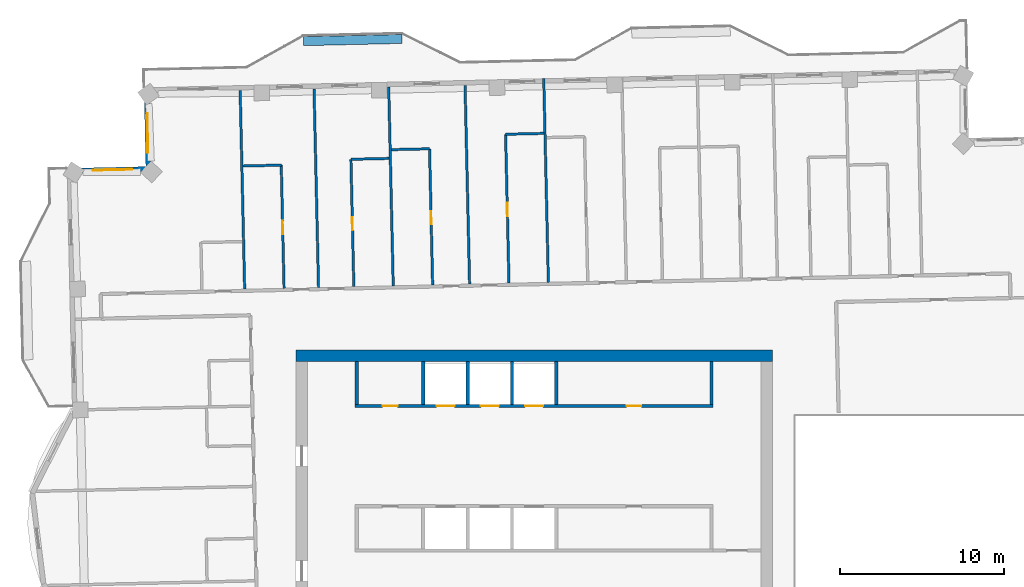
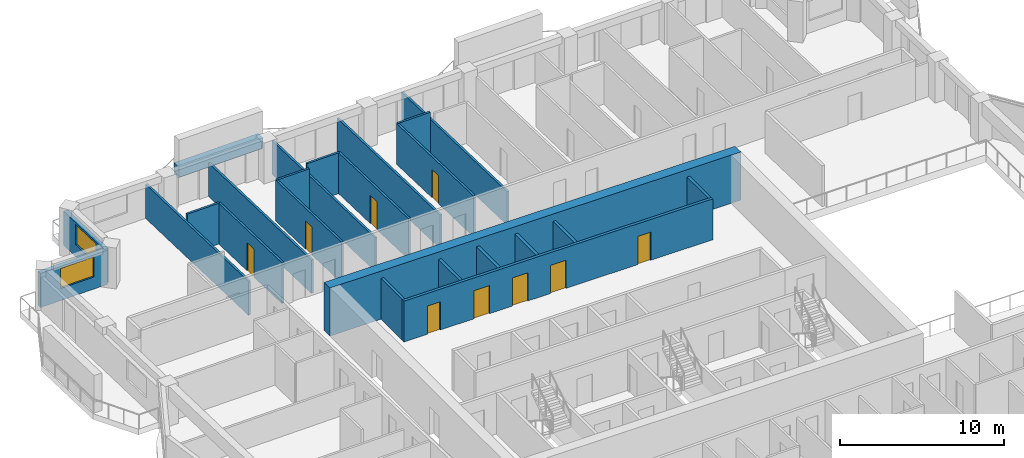
# One storey, part 13 of 19: 24 walls, 9 doors, 2 windows, 11 openings.
"""IFC4 building model written with IfcOpenShell, lengths in metres."""

from ifc_helpers import new_model, si_unit, direction, frame, frame_2d, origin, place, context, subcontext, project, spatial, rectangle, extrude, material, layer, layer_set, type_object, element, fill, save


model = new_model("IFC4")

# Units and contexts
model_context = context("Model", 3, precision=1e-05, world=origin(), true_north=direction((0.0, 1.0)))
body_context = subcontext(model_context, "Body", "Model", "MODEL_VIEW")
ifc_project = project(units=[si_unit("LENGTHUNIT", "METRE"), si_unit("AREAUNIT", "SQUARE_METRE"), si_unit("VOLUMEUNIT", "CUBIC_METRE"), si_unit("PLANEANGLEUNIT", "RADIAN"), si_unit("MASSUNIT", "GRAM", prefix="KILO")], contexts=[model_context])

# Site, building, storey
site_placement = place(None, origin())
site = spatial("IfcSite", under=ifc_project, at=site_placement, CompositionType="ELEMENT")
building_placement = place(site_placement, origin())
building = spatial("IfcBuilding", under=site, at=building_placement, Name="Mangrove Gate Tower", CompositionType="ELEMENT")
storey_placement = place(building_placement, frame((0.0, 0.0, 283.5)))
storey = spatial("IfcBuildingStorey", under=building, at=storey_placement, Name="L72", CompositionType="ELEMENT", Elevation=283.5)

# Walls
ifc_material_1 = material(Name="Concrete C32/40", Category="concrete")
ifc_layer_1 = layer(ifc_material_1, 0.199951171875)
ifc_layer_set_1 = layer_set([ifc_layer_1], Name="Core room wall 200 C32/40")
wall_type_1 = type_object("IfcWallType", Name="Core room wall 200 C32/40", PredefinedType="STANDARD", material=ifc_layer_set_1)
for number, where, z_axis, x_axis, name in (
    (1, (-10.800048828125, 8.199951171875, 0.0), (0.0, 0.0, 1.0), (0.0, 1.0, 0.0), "WALL-L72-CORE-25"),
    (2, (10.800048828125, 8.199951171875, 0.0), (0.0, 0.0, 1.0), (0.0, 1.0, 0.0), "WALL-L72-CORE-30"),
):
    element("IfcWall", number, at=place(storey_placement, frame(where, z_axis=z_axis, x_axis=x_axis)), inside=storey, type_object=wall_type_1, Name=name, PredefinedType="STANDARD", context=body_context, shape_type="SweptSolid", body=[
        extrude(rectangle(XDim=2.60009765625, YDim=0.199951171875, at=frame_2d((1.300048828125, 0.0))), origin(), (0.0, 0.0, 1.0), 3.050048828125),
    ])

# Wall, openings, doors
ifc_material_2 = material(Name="Concrete C50/60", Category="concrete")
ifc_layer_2 = layer(ifc_material_2, 0.199951171875)
ifc_layer_set_2 = layer_set([ifc_layer_2], Name="Core shaft wall 200 C50/60")
wall_type_2 = type_object("IfcWallType", Name="Core shaft wall 200 C50/60", PredefinedType="SHEAR", material=ifc_layer_set_2)
wall_1_placement = place(storey_placement, frame((-10.89990234375, 8.10009765625, 0.0), z_axis=(0.0, 0.0, 1.0), x_axis=(1.0, 0.0, 0.0)))
wall_1 = element("IfcWall", 3, at=wall_1_placement, inside=storey, type_object=wall_type_2, Name="WALL-L72-CORE-8", PredefinedType="SHEAR", context=body_context, shape_type="SweptSolid", body=[
    extrude(rectangle(XDim=21.7998046875, YDim=0.199951171875, at=frame_2d((10.89990234375, 0.0))), origin(), (0.0, 0.0, 1.0), 3.050048828125),
])
opening_1_placement = place(wall_1_placement, frame((4.949951171875, 0.0, 0.0)))
opening_1 = element("IfcOpeningElement", 4, at=opening_1_placement, cuts=wall_1, Name="Opening LD", PredefinedType="OPENING", context=body_context, shape_type="SweptSolid", body=[
    extrude(rectangle(XDim=1.10009765625, YDim=2.10009765625, at=frame_2d((0.550048828125, 1.050048828125))), frame((0.0, 0.10986328125, 0.0), z_axis=(0.0, -1.0, 0.0), x_axis=(1.0, 0.0, 0.0)), (0.0, 0.0, 1.0), 0.219970703125),
])
opening_2_placement = place(wall_1_placement, frame((7.64990234375, 0.0, 0.0)))
opening_2 = element("IfcOpeningElement", 5, at=opening_2_placement, cuts=wall_1, Name="Opening LD", PredefinedType="OPENING", context=body_context, shape_type="SweptSolid", body=[
    extrude(rectangle(XDim=1.10009765625, YDim=2.10009765625, at=frame_2d((0.550048828125, 1.050048828125))), frame((0.0, 0.10986328125, 0.0), z_axis=(0.0, -1.0, 0.0), x_axis=(1.0, 0.0, 0.0)), (0.0, 0.0, 1.0), 0.219970703125),
])
opening_3_placement = place(wall_1_placement, frame((10.35009765625, 0.0, 0.0)))
opening_3 = element("IfcOpeningElement", 6, at=opening_3_placement, cuts=wall_1, Name="Opening LD", PredefinedType="OPENING", context=body_context, shape_type="SweptSolid", body=[
    extrude(rectangle(XDim=1.10009765625, YDim=2.10009765625, at=frame_2d((0.550048828125, 1.050048828125))), frame((0.0, 0.10986328125, 0.0), z_axis=(0.0, -1.0, 0.0), x_axis=(1.0, 0.0, 0.0)), (0.0, 0.0, 1.0), 0.219970703125),
])
opening_4_placement = place(wall_1_placement, frame((1.675048828125, 0.0, 0.0)))
opening_4 = element("IfcOpeningElement", 7, at=opening_4_placement, cuts=wall_1, Name="Opening KD", PredefinedType="OPENING", context=body_context, shape_type="SweptSolid", body=[
    extrude(rectangle(XDim=0.89990234375, YDim=2.10009765625, at=frame_2d((0.449951171875, 1.050048828125))), frame((0.0, 0.10986328125, 0.0), z_axis=(0.0, -1.0, 0.0), x_axis=(1.0, 0.0, 0.0)), (0.0, 0.0, 1.0), 0.219970703125),
])
opening_5_placement = place(wall_1_placement, frame((16.52490234375, 0.0, 0.0)))
opening_5 = element("IfcOpeningElement", 8, at=opening_5_placement, cuts=wall_1, Name="Opening RD", PredefinedType="OPENING", context=body_context, shape_type="SweptSolid", body=[
    extrude(rectangle(XDim=0.89990234375, YDim=2.10009765625, at=frame_2d((0.449951171875, 1.050048828125))), frame((0.0, 0.10986328125, 0.0), z_axis=(0.0, -1.0, 0.0), x_axis=(1.0, 0.0, 0.0)), (0.0, 0.0, 1.0), 0.219970703125),
])
ifc_material_3 = material(Name="Fire-rated steel door set", Category="steel")
door_type_1 = type_object("IfcDoorType", Name="Core room door FD30S 900x2100", OperationType="SINGLE_SWING_RIGHT", PredefinedType="DOOR", material=ifc_material_3)
door_1_placement = place(opening_4_placement, origin())
door_1 = element("IfcDoor", 9, at=door_1_placement, inside=storey, type_object=door_type_1, Name="Core room door Refuse store", OperationType="SINGLE_SWING_RIGHT", OverallHeight=2.10009765625, OverallWidth=0.89990234375, PredefinedType="DOOR", context=body_context, shape_type="SweptSolid", body=[
    extrude(rectangle(XDim=0.89990234375, YDim=2.10009765625, at=frame_2d((0.449951171875, 1.050048828125))), frame((0.0, 0.02490234375, 0.0), z_axis=(0.0, -1.0, 0.0), x_axis=(1.0, 0.0, 0.0)), (0.0, 0.0, 1.0), 0.050048828125),
])
fill(opening_4, door_1)
ifc_material_4 = material(Name="Stainless steel 316", Category="steel")
door_type_2 = type_object("IfcDoorType", Name="Lift landing door 1100x2100", OperationType="SLIDING_TO_LEFT", PredefinedType="DOOR", material=ifc_material_4)
door_2_placement = place(opening_1_placement, origin())
door_2 = element("IfcDoor", 10, at=door_2_placement, inside=storey, type_object=door_type_2, Name="Landing door LD H04", OperationType="SLIDING_TO_LEFT", OverallHeight=2.10009765625, OverallWidth=1.10009765625, PredefinedType="DOOR", context=body_context, shape_type="SweptSolid", body=[
    extrude(rectangle(XDim=1.10009765625, YDim=2.10009765625, at=frame_2d((0.550048828125, 1.050048828125))), frame((0.0, 0.02490234375, 0.0), z_axis=(0.0, -1.0, 0.0), x_axis=(1.0, 0.0, 0.0)), (0.0, 0.0, 1.0), 0.050048828125),
])
fill(opening_1, door_2)
door_3_placement = place(opening_2_placement, origin())
door_3 = element("IfcDoor", 11, at=door_3_placement, inside=storey, type_object=door_type_2, Name="Landing door LD H05", OperationType="SLIDING_TO_LEFT", OverallHeight=2.10009765625, OverallWidth=1.10009765625, PredefinedType="DOOR", context=body_context, shape_type="SweptSolid", body=[
    extrude(rectangle(XDim=1.10009765625, YDim=2.10009765625, at=frame_2d((0.550048828125, 1.050048828125))), frame((0.0, 0.02490234375, 0.0), z_axis=(0.0, -1.0, 0.0), x_axis=(1.0, 0.0, 0.0)), (0.0, 0.0, 1.0), 0.050048828125),
])
fill(opening_2, door_3)
door_4_placement = place(opening_3_placement, origin())
door_4 = element("IfcDoor", 12, at=door_4_placement, inside=storey, type_object=door_type_2, Name="Landing door LD H06", OperationType="SLIDING_TO_LEFT", OverallHeight=2.10009765625, OverallWidth=1.10009765625, PredefinedType="DOOR", context=body_context, shape_type="SweptSolid", body=[
    extrude(rectangle(XDim=1.10009765625, YDim=2.10009765625, at=frame_2d((0.550048828125, 1.050048828125))), frame((0.0, 0.02490234375, 0.0), z_axis=(0.0, -1.0, 0.0), x_axis=(1.0, 0.0, 0.0)), (0.0, 0.0, 1.0), 0.050048828125),
])
fill(opening_3, door_4)
ifc_material_5 = material(Name="Fire-rated steel door set", Category="steel")
door_type_3 = type_object("IfcDoorType", Name="Riser door FD30S 900x2100", OperationType="SINGLE_SWING_LEFT", PredefinedType="DOOR", material=ifc_material_5)
door_5_placement = place(opening_5_placement, origin())
door_5 = element("IfcDoor", 13, at=door_5_placement, inside=storey, type_object=door_type_3, Name="Riser door Electrical room", OperationType="SINGLE_SWING_LEFT", OverallHeight=2.10009765625, OverallWidth=0.89990234375, PredefinedType="DOOR", context=body_context, shape_type="SweptSolid", body=[
    extrude(rectangle(XDim=0.89990234375, YDim=2.10009765625, at=frame_2d((0.449951171875, 1.050048828125))), frame((0.0, 0.02490234375, 0.0), z_axis=(0.0, -1.0, 0.0), x_axis=(1.0, 0.0, 0.0)), (0.0, 0.0, 1.0), 0.050048828125),
])
fill(opening_5, door_5)

# Walls
for number, where, z_axis, x_axis, name in (
    (14, (-6.75, 8.199951171875, 0.0), (0.0, 0.0, 1.0), (0.0, 1.0, 0.0), "WALL-L72-CORE-26"),
    (15, (-4.050048828125, 8.199951171875, 0.0), (0.0, 0.0, 1.0), (0.0, 1.0, 0.0), "WALL-L72-CORE-27"),
    (16, (-1.35009765625, 8.199951171875, 0.0), (0.0, 0.0, 1.0), (0.0, 1.0, 0.0), "WALL-L72-CORE-28"),
    (17, (1.35009765625, 8.199951171875, 0.0), (0.0, 0.0, 1.0), (0.0, 1.0, 0.0), "WALL-L72-CORE-29"),
):
    element("IfcWall", number, at=place(storey_placement, frame(where, z_axis=z_axis, x_axis=x_axis)), inside=storey, type_object=wall_type_2, Name=name, PredefinedType="SHEAR", context=body_context, shape_type="SweptSolid", body=[
        extrude(rectangle(XDim=2.60009765625, YDim=0.199951171875, at=frame_2d((1.300048828125, 0.0))), origin(), (0.0, 0.0, 1.0), 3.050048828125),
    ])
ifc_material_6 = material(Name="Concrete C50/60", Category="concrete")
ifc_layer_3 = layer(ifc_material_6, 0.699951171875)
ifc_layer_set_3 = layer_set([ifc_layer_3], Name="Core wall 700 C50/60")
wall_type_3 = type_object("IfcWallType", Name="Core wall 700 C50/60", PredefinedType="SHEAR", material=ifc_layer_set_3)
wall_2_placement = place(storey_placement, frame((-14.5, 11.14990234375, 0.0), z_axis=(0.0, 0.0, 1.0), x_axis=(1.0, 0.0, 0.0)))
element("IfcWall", 18, at=wall_2_placement, inside=storey, type_object=wall_type_3, Name="WALL-L72-CORE-2", PredefinedType="SHEAR", context=body_context, shape_type="SweptSolid", body=[
    extrude(rectangle(XDim=29.0, YDim=0.699951171875, at=frame_2d((14.5, 0.0))), origin(), (0.0, 0.0, 1.0), 3.60009765625),
])

# Wall, opening, window
ifc_material_7 = material(Name="Limestone", Category="masonry")
ifc_layer_4 = layer(ifc_material_7, 0.0400390625, Name="Limestone cladding")
ifc_material_8 = material(Name="Ventilated air gap")
ifc_layer_5 = layer(ifc_material_8, 0.0400390625, Name="Ventilated cavity")
ifc_material_9 = material(Name="Mineral wool insulation")
ifc_layer_6 = layer(ifc_material_9, 0.06005859375, Name="Insulation")
ifc_material_10 = material(Name="Breather membrane")
ifc_layer_7 = layer(ifc_material_10, 0.001953125, Name="Breather membrane")
ifc_material_11 = material(Name="Concrete C20/25 blockwork", Category="masonry")
ifc_layer_8 = layer(ifc_material_11, 0.14990234375, Name="Blockwork backing wall")
ifc_material_12 = material(Name="Gypsum plaster")
ifc_layer_9 = layer(ifc_material_12, 0.008056640625, Name="Internal plaster")
ifc_layer_set_4 = layer_set([ifc_layer_4, ifc_layer_5, ifc_layer_6, ifc_layer_7, ifc_layer_8, ifc_layer_9], Name="External wall 300 limestone cladding")
wall_type_4 = type_object("IfcWallType", Name="External wall 300 limestone cladding", PredefinedType="SOLIDWALL", material=ifc_layer_set_4)
wall_3_placement = place(storey_placement, frame((-23.60693359375, 27.3349609375, 0.0), z_axis=(0.0, 0.0, 1.0), x_axis=(0.022683280499, -0.999742701292, 0.0)))
wall_3 = element("IfcWall", 19, at=wall_3_placement, inside=storey, type_object=wall_type_4, Name="WALL-L72-W6", PredefinedType="SOLIDWALL", context=body_context, shape_type="SweptSolid", body=[
    extrude(rectangle(XDim=4.80029296875, YDim=0.300048828125, at=frame_2d((2.400146484375, 0.0))), origin(), (0.0, 0.0, 1.0), 2.550048828125),
])
opening_6_placement = place(wall_3_placement, frame((1.408935546875, 0.0, 0.89990234375)))
opening_6 = element("IfcOpeningElement", 20, at=opening_6_placement, cuts=wall_3, Name="Opening W2", PredefinedType="OPENING", context=body_context, shape_type="SweptSolid", body=[
    extrude(rectangle(XDim=2.39990234375, YDim=1.5, at=frame_2d((1.199951171875, 0.75))), frame((0.0, 0.159912109375, 0.0), z_axis=(0.0, -1.0, 0.0), x_axis=(1.0, 0.0, 0.0)), (0.0, 0.0, 1.0), 0.320068359375),
])
ifc_material_13 = material(Name="Aluminium frame with double-glazed low-e glass", Category="aluminium")
window_type = type_object("IfcWindowType", Name="Corner room window 2400x1500", PartitioningType="DOUBLE_PANEL_VERTICAL", PredefinedType="WINDOW", material=ifc_material_13)
window_1_placement = place(opening_6_placement, origin())
window_1 = element("IfcWindow", 21, at=window_1_placement, inside=storey, type_object=window_type, Name="WIN-L72-W6-1", OverallHeight=1.5, OverallWidth=2.39990234375, PartitioningType="DOUBLE_PANEL_VERTICAL", PredefinedType="WINDOW", context=body_context, shape_type="SweptSolid", body=[
    extrude(rectangle(XDim=2.39990234375, YDim=1.5, at=frame_2d((1.199951171875, 0.75))), frame((0.0, 0.030029296875, 0.0), z_axis=(0.0, -1.0, 0.0), x_axis=(1.0, 0.0, 0.0)), (0.0, 0.0, 1.0), 0.06005859375),
])
fill(opening_6, window_1)

wall_4_placement = place(storey_placement, frame((-23.498046875, 22.535888671875, 0.0), z_axis=(0.0, 0.0, 1.0), x_axis=(-0.999742701292, -0.022683280499, 0.0)))
wall_4 = element("IfcWall", 22, at=wall_4_placement, inside=storey, type_object=wall_type_4, Name="WALL-L72-N7", PredefinedType="SOLIDWALL", context=body_context, shape_type="SweptSolid", body=[
    extrude(rectangle(XDim=4.80029296875, YDim=0.300048828125, at=frame_2d((2.400146484375, 0.0))), origin(), (0.0, 0.0, 1.0), 2.550048828125),
])
opening_7_placement = place(wall_4_placement, frame((0.989990234375, 0.0, 0.89990234375)))
opening_7 = element("IfcOpeningElement", 23, at=opening_7_placement, cuts=wall_4, Name="Opening W2", PredefinedType="OPENING", context=body_context, shape_type="SweptSolid", body=[
    extrude(rectangle(XDim=2.39990234375, YDim=1.5, at=frame_2d((1.199951171875, 0.75))), frame((0.0, 0.159912109375, 0.0), z_axis=(0.0, -1.0, 0.0), x_axis=(1.0, 0.0, 0.0)), (0.0, 0.0, 1.0), 0.320068359375),
])
window_2_placement = place(opening_7_placement, origin())
window_2 = element("IfcWindow", 24, at=window_2_placement, inside=storey, type_object=window_type, Name="WIN-L72-N7-1", OverallHeight=1.5, OverallWidth=2.39990234375, PartitioningType="DOUBLE_PANEL_VERTICAL", PredefinedType="WINDOW", context=body_context, shape_type="SweptSolid", body=[
    extrude(rectangle(XDim=2.39990234375, YDim=1.5, at=frame_2d((1.199951171875, 0.75))), frame((0.0, 0.030029296875, 0.0), z_axis=(0.0, -1.0, 0.0), x_axis=(1.0, 0.0, 0.0)), (0.0, 0.0, 1.0), 0.06005859375),
])
fill(opening_7, window_2)

# Wall
ifc_material_14 = material(Name="Gypsum board on steel stud, EI 60", Category="steel")
ifc_layer_10 = layer(ifc_material_14, 0.14990234375)
ifc_layer_set_5 = layer_set([ifc_layer_10], Name="Party wall 150 EI 60")
wall_type_5 = type_object("IfcWallType", Name="Party wall 150 EI 60", PredefinedType="PARTITIONING", material=ifc_layer_set_5)
wall_5_placement = place(storey_placement, frame((-17.633056640625, 15.217041015625, 0.0), z_axis=(0.0, 0.0, 1.0), x_axis=(-0.02263844782, 0.9997437175, 0.0)))
element("IfcWall", 25, at=wall_5_placement, inside=storey, type_object=wall_type_5, Name="WALL-L72-059", PredefinedType="PARTITIONING", context=body_context, shape_type="SweptSolid", body=[
    extrude(rectangle(XDim=12.10009765625, YDim=0.14990234375, at=frame_2d((6.050048828125, 0.0))), origin(), (0.0, 0.0, 1.0), 2.550048828125),
])

# Wall, opening, door
wall_6_placement = place(storey_placement, frame((-15.23291015625, 15.27197265625, 0.0), z_axis=(0.0, 0.0, 1.0), x_axis=(-0.022819011082, 0.999739612466, 0.0)))
wall_6 = element("IfcWall", 26, at=wall_6_placement, inside=storey, type_object=wall_type_5, Name="WALL-L72-060", PredefinedType="PARTITIONING", context=body_context, shape_type="SweptSolid", body=[
    extrude(rectangle(XDim=7.5, YDim=0.14990234375, at=frame_2d((3.75, 0.0))), origin(), (0.0, 0.0, 1.0), 3.050048828125),
])
opening_8_placement = place(wall_6_placement, frame((3.300048828125, 0.0, 0.0)))
opening_8 = element("IfcOpeningElement", 27, at=opening_8_placement, cuts=wall_6, Name="Opening ED", PredefinedType="OPENING", context=body_context, shape_type="SweptSolid", body=[
    extrude(rectangle(XDim=0.800048828125, YDim=2.10009765625, at=frame_2d((0.39990234375, 1.050048828125))), frame((0.0, 0.0849609375, 0.0), z_axis=(0.0, -1.0, 0.0), x_axis=(1.0, 0.0, 0.0)), (0.0, 0.0, 1.0), 0.169921875),
])
ifc_material_15 = material(Name="Timber door leaf", Category="wood")
door_type_4 = type_object("IfcDoorType", Name="En-suite door 800", OperationType="SINGLE_SWING_LEFT", PredefinedType="DOOR", material=ifc_material_15)
door_6_placement = place(opening_8_placement, origin())
door_6 = element("IfcDoor", 28, at=door_6_placement, inside=storey, type_object=door_type_4, Name="DOOR-L72-ENS-c518", OperationType="SINGLE_SWING_RIGHT", OverallHeight=2.10009765625, OverallWidth=0.800048828125, PredefinedType="DOOR", context=body_context, shape_type="SweptSolid", body=[
    extrude(rectangle(XDim=0.800048828125, YDim=2.10009765625, at=frame_2d((0.39990234375, 1.050048828125))), frame((0.0, 0.02490234375, 0.0), z_axis=(0.0, -1.0, 0.0), x_axis=(1.0, 0.0, 0.0)), (0.0, 0.0, 1.0), 0.050048828125),
])
fill(opening_8, door_6)

# Wall
wall_7_placement = place(storey_placement, frame((-13.134033203125, 15.319091796875, 0.0), z_axis=(0.0, 0.0, 1.0), x_axis=(-0.02263844782, 0.9997437175, 0.0)))
element("IfcWall", 29, at=wall_7_placement, inside=storey, type_object=wall_type_5, Name="WALL-L72-061", PredefinedType="PARTITIONING", context=body_context, shape_type="SweptSolid", body=[
    extrude(rectangle(XDim=12.10009765625, YDim=0.14990234375, at=frame_2d((6.050048828125, 0.0))), origin(), (0.0, 0.0, 1.0), 2.5),
])

# Wall, opening, door
wall_8_placement = place(storey_placement, frame((-10.98388671875, 15.367919921875, 0.0), z_axis=(0.0, 0.0, 1.0), x_axis=(-0.022809307977, 0.999739833892, 0.0)))
wall_8 = element("IfcWall", 30, at=wall_8_placement, inside=storey, type_object=wall_type_5, Name="WALL-L72-062", PredefinedType="PARTITIONING", context=body_context, shape_type="SweptSolid", body=[
    extrude(rectangle(XDim=7.760009765625, YDim=0.14990234375, at=frame_2d((3.8798828125, 0.0))), origin(), (0.0, 0.0, 1.0), 3.050048828125),
])
opening_9_placement = place(wall_8_placement, frame((3.429931640625, 0.0, 0.0)))
opening_9 = element("IfcOpeningElement", 31, at=opening_9_placement, cuts=wall_8, Name="Opening ED", PredefinedType="OPENING", context=body_context, shape_type="SweptSolid", body=[
    extrude(rectangle(XDim=0.800048828125, YDim=2.10009765625, at=frame_2d((0.39990234375, 1.050048828125))), frame((0.0, 0.0849609375, 0.0), z_axis=(0.0, -1.0, 0.0), x_axis=(1.0, 0.0, 0.0)), (0.0, 0.0, 1.0), 0.169921875),
])
door_7_placement = place(opening_9_placement, origin())
door_7 = element("IfcDoor", 32, at=door_7_placement, inside=storey, type_object=door_type_4, Name="DOOR-L72-ENS-c517", OperationType="SINGLE_SWING_LEFT", OverallHeight=2.10009765625, OverallWidth=0.800048828125, PredefinedType="DOOR", context=body_context, shape_type="SweptSolid", body=[
    extrude(rectangle(XDim=0.800048828125, YDim=2.10009765625, at=frame_2d((0.39990234375, 1.050048828125))), frame((0.0, 0.02490234375, 0.0), z_axis=(0.0, -1.0, 0.0), x_axis=(1.0, 0.0, 0.0)), (0.0, 0.0, 1.0), 0.050048828125),
])
fill(opening_9, door_7)

# Wall
wall_9_placement = place(storey_placement, frame((-8.5849609375, 15.422119140625, 0.0), z_axis=(0.0, 0.0, 1.0), x_axis=(-0.02273928012, 0.99974142914, 0.0)))
element("IfcWall", 33, at=wall_9_placement, inside=storey, type_object=wall_type_5, Name="WALL-L72-063", PredefinedType="PARTITIONING", context=body_context, shape_type="SweptSolid", body=[
    extrude(rectangle(XDim=12.10009765625, YDim=0.14990234375, at=frame_2d((6.050048828125, 0.0))), origin(), (0.0, 0.0, 1.0), 2.5),
])

# Wall, opening, door
wall_10_placement = place(storey_placement, frame((-6.18603515625, 15.47705078125, 0.0), z_axis=(0.0, 0.0, 1.0), x_axis=(-0.022676583998, 0.999742853207, 0.0)))
wall_10 = element("IfcWall", 34, at=wall_10_placement, inside=storey, type_object=wall_type_5, Name="WALL-L72-064", PredefinedType="PARTITIONING", context=body_context, shape_type="SweptSolid", body=[
    extrude(rectangle(XDim=8.2900390625, YDim=0.14990234375, at=frame_2d((4.14501953125, 0.0))), origin(), (0.0, 0.0, 1.0), 3.050048828125),
])
opening_10_placement = place(wall_10_placement, frame((3.695068359375, 0.0, 0.0)))
opening_10 = element("IfcOpeningElement", 35, at=opening_10_placement, cuts=wall_10, Name="Opening ED", PredefinedType="OPENING", context=body_context, shape_type="SweptSolid", body=[
    extrude(rectangle(XDim=0.800048828125, YDim=2.10009765625, at=frame_2d((0.39990234375, 1.050048828125))), frame((0.0, 0.0849609375, 0.0), z_axis=(0.0, -1.0, 0.0), x_axis=(1.0, 0.0, 0.0)), (0.0, 0.0, 1.0), 0.169921875),
])
door_8_placement = place(opening_10_placement, origin())
door_8 = element("IfcDoor", 36, at=door_8_placement, inside=storey, type_object=door_type_4, Name="DOOR-L72-ENS-c516", OperationType="SINGLE_SWING_RIGHT", OverallHeight=2.10009765625, OverallWidth=0.800048828125, PredefinedType="DOOR", context=body_context, shape_type="SweptSolid", body=[
    extrude(rectangle(XDim=0.800048828125, YDim=2.10009765625, at=frame_2d((0.39990234375, 1.050048828125))), frame((0.0, 0.02490234375, 0.0), z_axis=(0.0, -1.0, 0.0), x_axis=(1.0, 0.0, 0.0)), (0.0, 0.0, 1.0), 0.050048828125),
])
fill(opening_10, door_8)

# Wall
wall_11_placement = place(storey_placement, frame((-3.93603515625, 15.528076171875, 0.0), z_axis=(0.0, 0.0, 1.0), x_axis=(-0.022719113715, 0.999741887625, 0.0)))
element("IfcWall", 37, at=wall_11_placement, inside=storey, type_object=wall_type_5, Name="WALL-L72-065", PredefinedType="PARTITIONING", context=body_context, shape_type="SweptSolid", body=[
    extrude(rectangle(XDim=12.10009765625, YDim=0.14990234375, at=frame_2d((6.050048828125, 0.0))), origin(), (0.0, 0.0, 1.0), 2.5),
])

# Wall, opening, door
wall_12_placement = place(storey_placement, frame((-1.537109375, 15.58203125, 0.0), z_axis=(0.0, 0.0, 1.0), x_axis=(-0.022690833899, 0.999742529883, 0.0)))
wall_12 = element("IfcWall", 38, at=wall_12_placement, inside=storey, type_object=wall_type_5, Name="WALL-L72-066", PredefinedType="PARTITIONING", context=body_context, shape_type="SweptSolid", body=[
    extrude(rectangle(XDim=9.0703125, YDim=0.14990234375, at=frame_2d((4.53515625, 0.0))), origin(), (0.0, 0.0, 1.0), 3.050048828125),
])
opening_11_placement = place(wall_12_placement, frame((4.0849609375, 0.0, 0.0)))
opening_11 = element("IfcOpeningElement", 39, at=opening_11_placement, cuts=wall_12, Name="Opening ED", PredefinedType="OPENING", context=body_context, shape_type="SweptSolid", body=[
    extrude(rectangle(XDim=0.800048828125, YDim=2.10009765625, at=frame_2d((0.39990234375, 1.050048828125))), frame((0.0, 0.0849609375, 0.0), z_axis=(0.0, -1.0, 0.0), x_axis=(1.0, 0.0, 0.0)), (0.0, 0.0, 1.0), 0.169921875),
])
door_9_placement = place(opening_11_placement, origin())
door_9 = element("IfcDoor", 40, at=door_9_placement, inside=storey, type_object=door_type_4, Name="DOOR-L72-ENS-c415", OperationType="SINGLE_SWING_LEFT", OverallHeight=2.10009765625, OverallWidth=0.800048828125, PredefinedType="DOOR", context=body_context, shape_type="SweptSolid", body=[
    extrude(rectangle(XDim=0.800048828125, YDim=2.10009765625, at=frame_2d((0.39990234375, 1.050048828125))), frame((0.0, 0.02490234375, 0.0), z_axis=(0.0, -1.0, 0.0), x_axis=(1.0, 0.0, 0.0)), (0.0, 0.0, 1.0), 0.050048828125),
])
fill(opening_11, door_9)

# Walls
wall_13_placement = place(storey_placement, frame((0.862060546875, 15.636962890625, 0.0), z_axis=(0.0, 0.0, 1.0), x_axis=(-0.022661475803, 0.999743195783, 0.0)))
element("IfcWall", 41, at=wall_13_placement, inside=storey, type_object=wall_type_5, Name="WALL-L72-067", PredefinedType="PARTITIONING", context=body_context, shape_type="SweptSolid", body=[
    extrude(rectangle(XDim=12.400146484375, YDim=0.14990234375, at=frame_2d((6.2001953125, 0.0))), origin(), (0.0, 0.0, 1.0), 2.5),
])
wall_14_placement = place(storey_placement, frame((-17.72607421875, 22.717041015625, 0.0), z_axis=(0.0, 0.0, 1.0), x_axis=(0.999740260747, 0.02279059109, 0.0)))
element("IfcWall", 42, at=wall_14_placement, inside=storey, type_object=wall_type_5, Name="WALL-L72-081", PredefinedType="PARTITIONING", context=body_context, shape_type="SweptSolid", body=[
    extrude(rectangle(XDim=2.324462890625, YDim=0.14990234375, at=frame_2d((1.162109375, 0.0))), origin(), (0.0, 0.0, 1.0), 3.050048828125),
])
wall_15_placement = place(storey_placement, frame((-11.158935546875, 23.1259765625, 0.0), z_axis=(0.0, 0.0, 1.0), x_axis=(0.999740478815, 0.022781023197, 0.0)))
element("IfcWall", 43, at=wall_15_placement, inside=storey, type_object=wall_type_5, Name="WALL-L72-082", PredefinedType="PARTITIONING", context=body_context, shape_type="SweptSolid", body=[
    extrude(rectangle(XDim=2.325439453125, YDim=0.14990234375, at=frame_2d((1.16259765625, 0.0))), origin(), (0.0, 0.0, 1.0), 3.050048828125),
])
wall_16_placement = place(storey_placement, frame((-8.696044921875, 23.7119140625, 0.0), z_axis=(0.0, 0.0, 1.0), x_axis=(0.999740260747, 0.02279059109, 0.0)))
element("IfcWall", 44, at=wall_16_placement, inside=storey, type_object=wall_type_5, Name="WALL-L72-085", PredefinedType="PARTITIONING", context=body_context, shape_type="SweptSolid", body=[
    extrude(rectangle(XDim=2.324462890625, YDim=0.14990234375, at=frame_2d((1.162109375, 0.0))), origin(), (0.0, 0.0, 1.0), 3.050048828125),
])
wall_17_placement = place(storey_placement, frame((-1.740966796875, 24.64990234375, 0.0), z_axis=(0.0, 0.0, 1.0), x_axis=(0.999740478815, 0.022781023197, 0.0)))
element("IfcWall", 45, at=wall_17_placement, inside=storey, type_object=wall_type_5, Name="WALL-L72-087", PredefinedType="PARTITIONING", context=body_context, shape_type="SweptSolid", body=[
    extrude(rectangle(XDim=2.325439453125, YDim=0.14990234375, at=frame_2d((1.16259765625, 0.0))), origin(), (0.0, 0.0, 1.0), 3.050048828125),
])
ifc_material_16 = material(Name="Concrete C32/40", Category="concrete")
ifc_layer_11 = layer(ifc_material_16, 0.199951171875, Name="Planter trough wall")
ifc_material_17 = material(Name="Bituminous waterproofing membrane")
ifc_layer_12 = layer(ifc_material_17, 0.0048828125, Name="Waterproofing")
ifc_material_18 = material(Name="Drainage board and gravel")
ifc_layer_13 = layer(ifc_material_18, 0.044921875, Name="Drainage layer")
ifc_material_19 = material(Name="Planting soil")
ifc_layer_14 = layer(ifc_material_19, 0.300048828125, Name="Growing medium")
ifc_layer_set_6 = layer_set([ifc_layer_11, ifc_layer_12, ifc_layer_13, ifc_layer_14], Name="Planter wall 550 C32/40")
wall_type_6 = type_object("IfcWallType", Name="Planter wall 550 C32/40", PredefinedType="USERDEFINED", material=ifc_layer_set_6)
wall_18_placement = place(storey_placement, frame((-14.054931640625, 30.31689453125, 0.0), z_axis=(0.0, 0.0, 1.0), x_axis=(0.999743178102, 0.022662255828, 0.0)))
element("IfcWall", 46, at=wall_18_placement, inside=storey, type_object=wall_type_6, Name="PLANTER L72 N1.1", ObjectType="PLANTER", PredefinedType="USERDEFINED", context=body_context, shape_type="SweptSolid", body=[
    extrude(rectangle(XDim=6.00048828125, YDim=0.550048828125, at=frame_2d((3.000244140625, 0.0))), origin(), (0.0, 0.0, 1.0), 0.800048828125),
])

save(model, "model.ifc")
